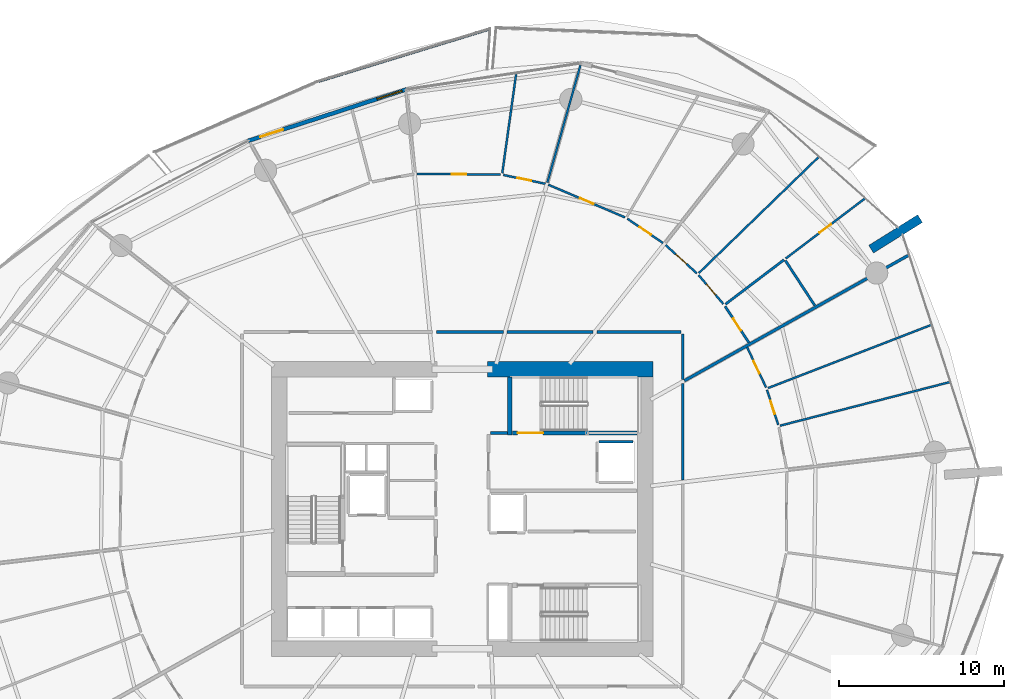
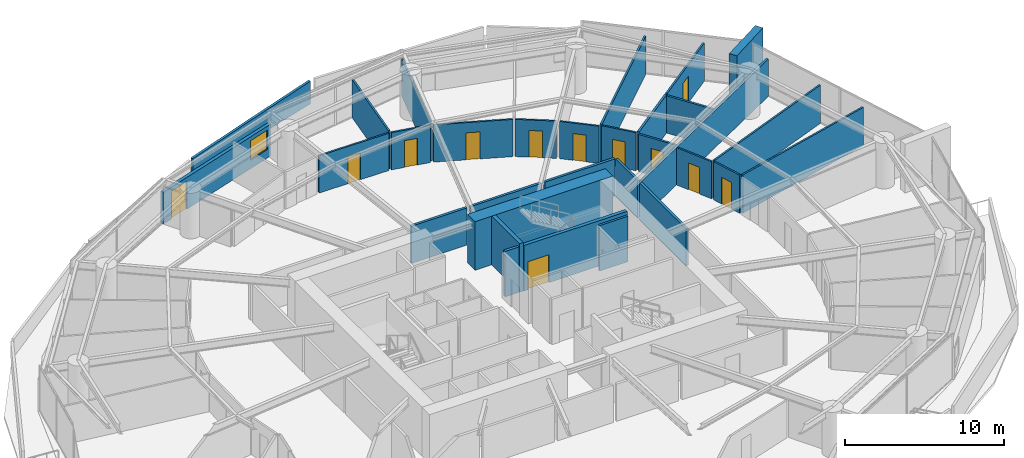
# One storey, part 23 of 31: 31 walls, 12 doors, 1 window, 13 openings.
"""IFC4 building model written with IfcOpenShell, lengths in metres."""

from ifc_helpers import new_model, si_unit, direction, frame, frame_2d, origin, place, context, subcontext, project, spatial, polyline, rectangle, outline, extrude, material, layer, layer_set, type_object, element, fill, save


model = new_model("IFC4")

# Units and contexts
model_context = context("Model", 3, precision=1e-05, world=origin(), true_north=direction((0.0, 1.0)))
body_context = subcontext(model_context, "Body", "Model", "MODEL_VIEW")
ifc_project = project(units=[si_unit("LENGTHUNIT", "METRE"), si_unit("AREAUNIT", "SQUARE_METRE"), si_unit("VOLUMEUNIT", "CUBIC_METRE"), si_unit("PLANEANGLEUNIT", "RADIAN"), si_unit("MASSUNIT", "GRAM", prefix="KILO")], contexts=[model_context])

# Site, building, storey
site_placement = place(None, origin())
site = spatial("IfcSite", under=ifc_project, at=site_placement, CompositionType="ELEMENT")
building_placement = place(site_placement, origin())
building = spatial("IfcBuilding", under=site, at=building_placement, Name="Kazma Halo Residences", CompositionType="ELEMENT")
storey_placement = place(building_placement, frame((0.0, 0.0, 37.64990234375)))
storey = spatial("IfcBuildingStorey", under=building, at=storey_placement, Name="L08", CompositionType="ELEMENT", Elevation=37.64990234375)

# Walls
ifc_material_1 = material(Name="White Concrete C50/60 Balustrade", Category="concrete")
ifc_layer_1 = layer(ifc_material_1, 0.179931640625)
ifc_layer_set_1 = layer_set([ifc_layer_1], Name="White Concrete C50/60 Balustrade")
wall_type_1 = type_object("IfcWallType", Name="WL-BAL-WAVE-180", PredefinedType="PARAPET", material=ifc_layer_set_1)
wall_1_placement = place(storey_placement, frame((50.1142578125, 71.139892578125, 0.0), z_axis=(0.0, 0.0, 1.0), x_axis=(-0.956262130287, -0.292511090695, 0.0)))
element("IfcWall", 1, at=wall_1_placement, inside=storey, type_object=wall_type_1, Name="L08 white wave balustrade wall NNW.1", PredefinedType="PARAPET", context=body_context, shape_type="SweptSolid", body=[
    extrude(outline(polyline([(0.0, 0.0), (10.89697265625, 0.0), (10.897216796875, 1.34814453125), (5.448486328125, 1.56201171875), (0.0, 1.7470703125), (0.0, 0.0)])), frame((0.0, 0.08984375, 0.0), z_axis=(0.0, -1.0, 0.0), x_axis=(1.0, 0.0, 0.0)), (0.0, 0.0, 1.0), 0.179931640625),
])
ifc_material_2 = material(Name="Pale Concrete C60/75", Category="concrete")
ifc_layer_2 = layer(ifc_material_2, 0.550048828125)
ifc_layer_set_2 = layer_set([ifc_layer_2], Name="Pale Concrete C60/75")
wall_type_2 = type_object("IfcWallType", Name="WL-BLADE-550", PredefinedType="SOLIDWALL", material=ifc_layer_set_2)
wall_2_placement = place(storey_placement, frame((73.229736328125, 57.765380859375, 0.0), z_axis=(0.0, 0.0, 1.0), x_axis=(0.848053161125, 0.529911158502, 0.0)))
element("IfcWall", 2, at=wall_2_placement, inside=storey, type_object=wall_type_2, Name="L08 pale concrete structural blade fin wall BW-01", PredefinedType="SOLIDWALL", context=body_context, shape_type="SweptSolid", body=[
    extrude(rectangle(XDim=3.5, YDim=0.550048828125, at=frame_2d((1.75, 0.0))), origin(), (0.0, 0.0, 1.0), 3.75),
])
ifc_material_3 = material(Name="Concrete C80/95", Category="concrete")
ifc_layer_3 = layer(ifc_material_3, 0.949951171875)
ifc_layer_set_3 = layer_set([ifc_layer_3], Name="Concrete C80/95")
wall_type_3 = type_object("IfcWallType", Name="WL-CORE-950", PredefinedType="SHEAR", material=ifc_layer_set_3)
wall_3_placement = place(storey_placement, frame((49.949951171875, 50.47509765625, 0.0), z_axis=(0.0, 0.0, 1.0), x_axis=(1.0, 0.0, 0.0)))
element("IfcWall", 3, at=wall_3_placement, inside=storey, type_object=wall_type_3, Name="L08 central core shear wall NE", PredefinedType="SHEAR", context=body_context, shape_type="SweptSolid", body=[
    extrude(rectangle(XDim=10.050048828125, YDim=0.949951171875, at=frame_2d((5.02490234375, 0.0))), origin(), (0.0, 0.0, 1.0), 3.75),
])
ifc_material_4 = material(Name="Concrete C60/75", Category="concrete")
ifc_layer_4 = layer(ifc_material_4, 0.280029296875)
ifc_layer_set_4 = layer_set([ifc_layer_4], Name="Concrete C60/75")
wall_type_4 = type_object("IfcWallType", Name="WL-CORE-ST-280", PredefinedType="SHEAR", material=ifc_layer_set_4)
wall_4_placement = place(storey_placement, frame((51.31005859375, 46.5, 0.0), z_axis=(0.0, 0.0, 1.0), x_axis=(0.0, 1.0, 0.0)))
element("IfcWall", 4, at=wall_4_placement, inside=storey, type_object=wall_type_4, Name="L08 stairwell bearing wall ST02-W", PredefinedType="SHEAR", context=body_context, shape_type="SweptSolid", body=[
    extrude(rectangle(XDim=3.5, YDim=0.280029296875, at=frame_2d((1.75, 0.0))), origin(), (0.0, 0.0, 1.0), 3.75),
])
ifc_material_5 = material(Name="Acoustic Twin-Stud Gypsum")
ifc_layer_5 = layer(ifc_material_5, 0.179931640625)
ifc_layer_set_5 = layer_set([ifc_layer_5], Name="Acoustic Twin-Stud Gypsum")
wall_type_5 = type_object("IfcWallType", Name="WL-DEM-180", PredefinedType="PARTITIONING", material=ifc_layer_set_5)
wall_5_placement = place(storey_placement, frame((61.89599609375, 49.781982421875, 0.0), z_axis=(0.0, 0.0, 1.0), x_axis=(0.872493215695, 0.488626225828, 0.0)))
element("IfcWall", 5, at=wall_5_placement, inside=storey, type_object=wall_type_5, Name="L08 apartment demising radial wall 00", PredefinedType="PARTITIONING", context=body_context, shape_type="SweptSolid", body=[
    extrude(rectangle(XDim=15.612060546875, YDim=0.179931640625, at=frame_2d((7.80615234375, 0.0))), origin(), (0.0, 0.0, 1.0), 2.8671875),
])
wall_6_placement = place(storey_placement, frame((61.800048828125, 49.848388671875, 0.0), z_axis=(0.0, 0.0, 1.0), x_axis=(0.0, 1.0, 0.0)))
element("IfcWall", 6, at=wall_6_placement, inside=storey, type_object=wall_type_5, Name="L08 Apartment 1 inner wall 0", PredefinedType="PARTITIONING", context=body_context, shape_type="SweptSolid", body=[
    extrude(rectangle(XDim=2.781494140625, YDim=0.179931640625, at=frame_2d((1.390625, 0.0))), origin(), (0.0, 0.0, 1.0), 2.8671875),
])
wall_7_placement = place(storey_placement, frame((61.679931640625, 52.75, 0.0), z_axis=(0.0, 0.0, 1.0), x_axis=(-1.0, 0.0, 0.0)))
element("IfcWall", 7, at=wall_7_placement, inside=storey, type_object=wall_type_5, Name="L08 Apartment 1 inner wall 0", PredefinedType="PARTITIONING", context=body_context, shape_type="SweptSolid", body=[
    extrude(rectangle(XDim=5.08544921875, YDim=0.179931640625, at=frame_2d((2.542724609375, 0.0))), origin(), (0.0, 0.0, 1.0), 2.8671875),
])
wall_8_placement = place(storey_placement, frame((56.3544921875, 52.75, 0.0), z_axis=(0.0, 0.0, 1.0), x_axis=(-1.0, 0.0, 0.0)))
element("IfcWall", 8, at=wall_8_placement, inside=storey, type_object=wall_type_5, Name="L08 Apartment 1 inner wall 1", PredefinedType="PARTITIONING", context=body_context, shape_type="SweptSolid", body=[
    extrude(rectangle(XDim=5.20263671875, YDim=0.179931640625, at=frame_2d((2.601318359375, 0.0))), origin(), (0.0, 0.0, 1.0), 2.8671875),
])
wall_9_placement = place(storey_placement, frame((50.911865234375, 52.75, 0.0), z_axis=(0.0, 0.0, 1.0), x_axis=(-1.0, 0.0, 0.0)))
element("IfcWall", 9, at=wall_9_placement, inside=storey, type_object=wall_type_5, Name="L08 Apartment 1 inner wall 2", PredefinedType="PARTITIONING", context=body_context, shape_type="SweptSolid", body=[
    extrude(rectangle(XDim=4.064208984375, YDim=0.179931640625, at=frame_2d((2.0322265625, 0.0))), origin(), (0.0, 0.0, 1.0), 2.8671875),
])
wall_10_placement = place(storey_placement, frame((61.800048828125, 43.75341796875, 0.0), z_axis=(0.0, 0.0, 1.0), x_axis=(0.0, 1.0, 0.0)))
element("IfcWall", 10, at=wall_10_placement, inside=storey, type_object=wall_type_5, Name="L08 Apartment 2 inner wall 15", PredefinedType="PARTITIONING", context=body_context, shape_type="SweptSolid", body=[
    extrude(rectangle(XDim=5.85498046875, YDim=0.179931640625, at=frame_2d((2.927490234375, 0.0))), origin(), (0.0, 0.0, 1.0), 2.8671875),
])

# Wall, openings, door, window
ifc_material_6 = material(Name="Insulated Pale-Metal Composite Wall")
ifc_layer_6 = layer(ifc_material_6, 0.239990234375)
ifc_layer_set_6 = layer_set([ifc_layer_6], Name="Insulated Pale-Metal Composite Wall")
wall_type_6 = type_object("IfcWallType", Name="WL-EXT-HOST-240", PredefinedType="SOLIDWALL", material=ifc_layer_set_6)
wall_11_placement = place(storey_placement, frame((45.0361328125, 67.45849609375, 0.0), z_axis=(0.0, 0.0, 1.0), x_axis=(-0.951054679225, -0.309022648238, 0.0)))
wall_11 = element("IfcWall", 11, at=wall_11_placement, inside=storey, type_object=wall_type_6, Name="L08 exterior terrace-access wall B04", PredefinedType="SOLIDWALL", context=body_context, shape_type="SweptSolid", body=[
    extrude(rectangle(XDim=10.0966796875, YDim=0.239990234375, at=frame_2d((5.04833984375, 0.0))), origin(), (0.0, 0.0, 1.0), 2.4501953125),
])
opening_1_placement = place(wall_11_placement, frame((7.876708984375, 0.0, 0.0)))
opening_1 = element("IfcOpeningElement", 12, at=opening_1_placement, cuts=wall_11, Name="Opening DTR-1600", PredefinedType="OPENING", context=body_context, shape_type="SweptSolid", body=[
    extrude(rectangle(XDim=1.449951171875, YDim=2.14990234375, at=frame_2d((0.72509765625, 1.074951171875))), frame((0.0, 0.1298828125, 0.0), z_axis=(0.0, -1.0, 0.0), x_axis=(1.0, 0.0, 0.0)), (0.0, 0.0, 1.0), 0.260009765625),
])
opening_2_placement = place(wall_11_placement, frame((0.280029296875, 0.0, 0.64990234375)))
opening_2 = element("IfcOpeningElement", 13, at=opening_2_placement, cuts=wall_11, Name="Opening W-1800", PredefinedType="OPENING", context=body_context, shape_type="SweptSolid", body=[
    extrude(rectangle(XDim=1.60009765625, YDim=1.5, at=frame_2d((0.800048828125, 0.75))), frame((0.0, 0.1298828125, 0.0), z_axis=(0.0, -1.0, 0.0), x_axis=(1.0, 0.0, 0.0)), (0.0, 0.0, 1.0), 0.260009765625),
])
ifc_material_7 = material(Name="Aluminium AW-6063 T6 Double-Glazed Terrace Door", Category="aluminium")
door_type_1 = type_object("IfcDoorType", Name="DR-EXT-TERR-1600", OperationType="NOTDEFINED", PredefinedType="DOOR", material=ifc_material_7)
door_1_placement = place(opening_1_placement, origin())
door_1 = element("IfcDoor", 14, at=door_1_placement, inside=storey, type_object=door_type_1, Name="L08 B04 balcony terrace door", OperationType="DOUBLE_DOOR_SLIDING", OverallHeight=2.14990234375, OverallWidth=1.449951171875, PredefinedType="DOOR", context=body_context, shape_type="SweptSolid", body=[
    extrude(rectangle(XDim=1.449951171875, YDim=2.14990234375, at=frame_2d((0.72509765625, 1.074951171875))), frame((0.0, 0.02490234375, 0.0), z_axis=(0.0, -1.0, 0.0), x_axis=(1.0, 0.0, 0.0)), (0.0, 0.0, 1.0), 0.050048828125),
])
fill(opening_1, door_1)
ifc_material_8 = material(Name="Clear Triple-Silver Low-E Glass in Aluminium AW-6063 T6 Frame", Category="aluminium")
window_type = type_object("IfcWindowType", Name="WIN-RES-1800", PartitioningType="DOUBLE_PANEL_VERTICAL", PredefinedType="WINDOW", material=ifc_material_8)
window_placement = place(opening_2_placement, origin())
window = element("IfcWindow", 15, at=window_placement, inside=storey, type_object=window_type, Name="L08 B04 apartment window", OverallHeight=1.5, OverallWidth=1.60009765625, PartitioningType="SINGLE_PANEL", PredefinedType="WINDOW", context=body_context, shape_type="SweptSolid", body=[
    extrude(rectangle(XDim=1.60009765625, YDim=1.5, at=frame_2d((0.800048828125, 0.75))), frame((0.0, 0.030029296875, 0.0), z_axis=(0.0, -1.0, 0.0), x_axis=(1.0, 0.0, 0.0)), (0.0, 0.0, 1.0), 0.06005859375),
])
fill(opening_2, window)

# Walls
ifc_material_9 = material(Name="Fire-Rated Blockwork Masonry", Category="masonry")
ifc_layer_7 = layer(ifc_material_9, 0.199951171875)
ifc_layer_set_7 = layer_set([ifc_layer_7], Name="Fire-Rated Blockwork Masonry")
wall_type_7 = type_object("IfcWallType", Name="WL-FLB-200", PredefinedType="PARTITIONING", material=ifc_layer_set_7)
wall_12_placement = place(storey_placement, frame((56.719970703125, 46.080078125, 0.0), z_axis=(0.0, 0.0, 1.0), x_axis=(1.0, 0.0, 0.0)))
element("IfcWall", 16, at=wall_12_placement, inside=storey, type_object=wall_type_7, Name="L08 lift shaft FL-02 side wall N", PredefinedType="PARTITIONING", context=body_context, shape_type="SweptSolid", body=[
    extrude(rectangle(XDim=2.06005859375, YDim=0.159912109375, at=frame_2d((1.030029296875, 0.0))), origin(), (0.0, 0.0, 1.0), 3.5),
])
wall_13_placement = place(storey_placement, frame((50.139892578125, 46.6201171875, 0.0), z_axis=(0.0, 0.0, 1.0), x_axis=(1.0, 0.0, 0.0)))
element("IfcWall", 17, at=wall_13_placement, inside=storey, type_object=wall_type_7, Name="L08 east firefighting lobby north closure wall", PredefinedType="PARTITIONING", context=body_context, shape_type="SweptSolid", body=[
    extrude(rectangle(XDim=1.02001953125, YDim=0.199951171875, at=frame_2d((0.510009765625, 0.0))), origin(), (0.0, 0.0, 1.0), 3.5),
])

# Wall, opening, door
ifc_material_10 = material(Name="Gypsum Plasterboard Partition")
ifc_layer_8 = layer(ifc_material_10, 0.125)
ifc_layer_set_8 = layer_set([ifc_layer_8], Name="Gypsum Plasterboard Partition")
wall_type_8 = type_object("IfcWallType", Name="WL-PART-125", PredefinedType="PARTITIONING", material=ifc_layer_set_8)
wall_14_placement = place(storey_placement, frame((68.051025390625, 57.203125, 0.0), z_axis=(0.0, 0.0, 1.0), x_axis=(0.796847589026, 0.604180370307, 0.0)))
wall_14 = element("IfcWall", 18, at=wall_14_placement, inside=storey, type_object=wall_type_8, Name="L08 Apartment 1 Household Store Room partition wall", PredefinedType="PARTITIONING", context=body_context, shape_type="SweptSolid", body=[
    extrude(rectangle(XDim=6.01513671875, YDim=0.125, at=frame_2d((3.007568359375, 0.0))), origin(), (0.0, 0.0, 1.0), 2.940185546875),
])
opening_3_placement = place(wall_14_placement, frame((2.58251953125, 0.0, 0.0)))
opening_3 = element("IfcOpeningElement", 19, at=opening_3_placement, cuts=wall_14, Name="Opening DB-900", PredefinedType="OPENING", context=body_context, shape_type="SweptSolid", body=[
    extrude(rectangle(XDim=0.85009765625, YDim=2.06005859375, at=frame_2d((0.425048828125, 1.030029296875))), frame((0.0, 0.072509765625, 0.0), z_axis=(0.0, -1.0, 0.0), x_axis=(1.0, 0.0, 0.0)), (0.0, 0.0, 1.0), 0.14501953125),
])
ifc_material_11 = material(Name="Moisture-Sealed Timber Leaf", Category="wood")
door_type_2 = type_object("IfcDoorType", Name="DR-BTH-900", OperationType="NOTDEFINED", PredefinedType="DOOR", material=ifc_material_11)
door_2_placement = place(opening_3_placement, origin())
door_2 = element("IfcDoor", 20, at=door_2_placement, inside=storey, type_object=door_type_2, Name="L08 Apartment 1 Household Store Room door", OperationType="SINGLE_SWING_RIGHT", OverallHeight=2.06005859375, OverallWidth=0.85009765625, PredefinedType="DOOR", context=body_context, shape_type="SweptSolid", body=[
    extrude(rectangle(XDim=0.85009765625, YDim=2.06005859375, at=frame_2d((0.425048828125, 1.030029296875))), frame((0.0, 0.02490234375, 0.0), z_axis=(0.0, -1.0, 0.0), x_axis=(1.0, 0.0, 0.0)), (0.0, 0.0, 1.0), 0.050048828125),
])
fill(opening_3, door_2)

# Wall
wall_15_placement = place(storey_placement, frame((62.775146484375, 56.31591796875, 0.0), z_axis=(0.0, 0.0, 1.0), x_axis=(0.718182919159, 0.695854363088, 0.0)))
element("IfcWall", 21, at=wall_15_placement, inside=storey, type_object=wall_type_8, Name="L08 Apartment 1 suite divider 0", PredefinedType="PARTITIONING", context=body_context, shape_type="SweptSolid", body=[
    extrude(rectangle(XDim=10.114013671875, YDim=0.125, at=frame_2d((5.05712890625, 0.0))), origin(), (0.0, 0.0, 1.0), 2.940185546875),
])

# Wall, opening, door
wall_16_placement = place(storey_placement, frame((64.26318359375, 54.44384765625, 0.0), z_axis=(0.0, 0.0, 1.0), x_axis=(-0.651227570151, 0.758882502022, 0.0)))
wall_16 = element("IfcWall", 22, at=wall_16_placement, inside=storey, type_object=wall_type_8, Name="L08 Apartment 1 Gourmet Kitchen hall wall", PredefinedType="PARTITIONING", context=body_context, shape_type="SweptSolid", body=[
    extrude(rectangle(XDim=2.30419921875, YDim=0.125, at=frame_2d((1.152099609375, 0.0))), origin(), (0.0, 0.0, 1.0), 2.940185546875),
])
opening_4_placement = place(wall_16_placement, frame((0.72705078125, 0.0, 0.0)))
opening_4 = element("IfcOpeningElement", 23, at=opening_4_placement, cuts=wall_16, Name="Opening DB-900", PredefinedType="OPENING", context=body_context, shape_type="SweptSolid", body=[
    extrude(rectangle(XDim=0.85009765625, YDim=2.06005859375, at=frame_2d((0.425048828125, 1.030029296875))), frame((0.0, 0.072509765625, 0.0), z_axis=(0.0, -1.0, 0.0), x_axis=(1.0, 0.0, 0.0)), (0.0, 0.0, 1.0), 0.14501953125),
])
door_3_placement = place(opening_4_placement, origin())
door_3 = element("IfcDoor", 24, at=door_3_placement, inside=storey, type_object=door_type_2, Name="L08 Apartment 1 Gourmet Kitchen door", OperationType="SINGLE_SWING_LEFT", OverallHeight=2.06005859375, OverallWidth=0.85009765625, PredefinedType="DOOR", context=body_context, shape_type="SweptSolid", body=[
    extrude(rectangle(XDim=0.85009765625, YDim=2.06005859375, at=frame_2d((0.425048828125, 1.030029296875))), frame((0.0, 0.02490234375, 0.0), z_axis=(0.0, -1.0, 0.0), x_axis=(1.0, 0.0, 0.0)), (0.0, 0.0, 1.0), 0.050048828125),
])
fill(opening_4, door_3)

wall_17_placement = place(storey_placement, frame((62.651123046875, 56.306884765625, 0.0), z_axis=(0.0, 0.0, 1.0), x_axis=(-0.742266720662, 0.670104555571, 0.0)))
wall_17 = element("IfcWall", 25, at=wall_17_placement, inside=storey, type_object=wall_type_8, Name="L08 Apartment 1 Primary Bedroom hall wall", PredefinedType="PARTITIONING", context=body_context, shape_type="SweptSolid", body=[
    extrude(rectangle(XDim=2.554443359375, YDim=0.125, at=frame_2d((1.27734375, 0.0))), origin(), (0.0, 0.0, 1.0), 2.8671875),
])
opening_5_placement = place(wall_17_placement, frame((0.852294921875, 0.0, 0.0)))
opening_5 = element("IfcOpeningElement", 26, at=opening_5_placement, cuts=wall_17, Name="Opening DB-900", PredefinedType="OPENING", context=body_context, shape_type="SweptSolid", body=[
    extrude(rectangle(XDim=0.85009765625, YDim=2.06005859375, at=frame_2d((0.425048828125, 1.030029296875))), frame((0.0, 0.072509765625, 0.0), z_axis=(0.0, -1.0, 0.0), x_axis=(1.0, 0.0, 0.0)), (0.0, 0.0, 1.0), 0.14501953125),
])
door_4_placement = place(opening_5_placement, origin())
door_4 = element("IfcDoor", 27, at=door_4_placement, inside=storey, type_object=door_type_2, Name="L08 Apartment 1 Primary Bedroom door", OperationType="SINGLE_SWING_RIGHT", OverallHeight=2.06005859375, OverallWidth=0.85009765625, PredefinedType="DOOR", context=body_context, shape_type="SweptSolid", body=[
    extrude(rectangle(XDim=0.85009765625, YDim=2.06005859375, at=frame_2d((0.425048828125, 1.030029296875))), frame((0.0, 0.02490234375, 0.0), z_axis=(0.0, -1.0, 0.0), x_axis=(1.0, 0.0, 0.0)), (0.0, 0.0, 1.0), 0.050048828125),
])
fill(opening_5, door_4)

wall_18_placement = place(storey_placement, frame((60.598388671875, 58.14208984375, 0.0), z_axis=(0.0, 0.0, 1.0), x_axis=(-0.82573951311, 0.56405164346, 0.0)))
wall_18 = element("IfcWall", 28, at=wall_18_placement, inside=storey, type_object=wall_type_8, Name="L08 Apartment 1 East Wine Pantry Store hall wall", PredefinedType="PARTITIONING", context=body_context, shape_type="SweptSolid", body=[
    extrude(rectangle(XDim=2.616943359375, YDim=0.125, at=frame_2d((1.30859375, 0.0))), origin(), (0.0, 0.0, 1.0), 2.8671875),
])
opening_6_placement = place(wall_18_placement, frame((0.883544921875, 0.0, 0.0)))
opening_6 = element("IfcOpeningElement", 29, at=opening_6_placement, cuts=wall_18, Name="Opening DB-900", PredefinedType="OPENING", context=body_context, shape_type="SweptSolid", body=[
    extrude(rectangle(XDim=0.85009765625, YDim=2.06005859375, at=frame_2d((0.425048828125, 1.030029296875))), frame((0.0, 0.072509765625, 0.0), z_axis=(0.0, -1.0, 0.0), x_axis=(1.0, 0.0, 0.0)), (0.0, 0.0, 1.0), 0.14501953125),
])
door_5_placement = place(opening_6_placement, origin())
door_5 = element("IfcDoor", 30, at=door_5_placement, inside=storey, type_object=door_type_2, Name="L08 Apartment 1 East Wine Pantry Store door", OperationType="SINGLE_SWING_RIGHT", OverallHeight=2.06005859375, OverallWidth=0.85009765625, PredefinedType="DOOR", context=body_context, shape_type="SweptSolid", body=[
    extrude(rectangle(XDim=0.85009765625, YDim=2.06005859375, at=frame_2d((0.425048828125, 1.030029296875))), frame((0.0, 0.02490234375, 0.0), z_axis=(0.0, -1.0, 0.0), x_axis=(1.0, 0.0, 0.0)), (0.0, 0.0, 1.0), 0.050048828125),
])
fill(opening_6, door_5)

wall_19_placement = place(storey_placement, frame((58.297607421875, 59.694580078125, 0.0), z_axis=(0.0, 0.0, 1.0), x_axis=(-0.919918404985, 0.392109841969, 0.0)))
wall_19 = element("IfcWall", 31, at=wall_19_placement, inside=storey, type_object=wall_type_8, Name="L08 Apartment 1 West Formal Dining Room hall wall", PredefinedType="PARTITIONING", context=body_context, shape_type="SweptSolid", body=[
    extrude(rectangle(XDim=5.05029296875, YDim=0.125, at=frame_2d((2.525146484375, 0.0))), origin(), (0.0, 0.0, 1.0), 2.8671875),
])
opening_7_placement = place(wall_19_placement, frame((2.0751953125, 0.0, 0.0)))
opening_7 = element("IfcOpeningElement", 32, at=opening_7_placement, cuts=wall_19, Name="Opening DI-950", PredefinedType="OPENING", context=body_context, shape_type="SweptSolid", body=[
    extrude(rectangle(XDim=0.89990234375, YDim=2.080078125, at=frame_2d((0.449951171875, 1.0400390625))), frame((0.0, 0.072509765625, 0.0), z_axis=(0.0, -1.0, 0.0), x_axis=(1.0, 0.0, 0.0)), (0.0, 0.0, 1.0), 0.14501953125),
])
ifc_material_12 = material(Name="Timber Veneer Flush Leaf", Category="wood")
door_type_3 = type_object("IfcDoorType", Name="DR-INT-950", OperationType="NOTDEFINED", PredefinedType="DOOR", material=ifc_material_12)
door_6_placement = place(opening_7_placement, origin())
door_6 = element("IfcDoor", 33, at=door_6_placement, inside=storey, type_object=door_type_3, Name="L08 Apartment 1 West Formal Dining Room door", OperationType="SINGLE_SWING_LEFT", OverallHeight=2.080078125, OverallWidth=0.89990234375, PredefinedType="DOOR", context=body_context, shape_type="SweptSolid", body=[
    extrude(rectangle(XDim=0.89990234375, YDim=2.080078125, at=frame_2d((0.449951171875, 1.0400390625))), frame((0.0, 0.02490234375, 0.0), z_axis=(0.0, -1.0, 0.0), x_axis=(1.0, 0.0, 0.0)), (0.0, 0.0, 1.0), 0.050048828125),
])
fill(opening_7, door_6)

# Walls
wall_20_placement = place(storey_placement, frame((53.5869140625, 61.810302734375, 0.0), z_axis=(0.0, 0.0, 1.0), x_axis=(0.271464088879, 0.962448569249, 0.0)))
element("IfcWall", 34, at=wall_20_placement, inside=storey, type_object=wall_type_8, Name="L08 Apartment 1 radial partition 2", PredefinedType="PARTITIONING", context=body_context, shape_type="SweptSolid", body=[
    extrude(rectangle(XDim=7.38916015625, YDim=0.125, at=frame_2d((3.694580078125, 0.0))), origin(), (0.0, 0.0, 1.0), 2.8671875),
])
wall_21_placement = place(storey_placement, frame((50.850830078125, 62.37451171875, 0.0), z_axis=(0.0, 0.0, 1.0), x_axis=(0.138574188501, 0.990352055726, 0.0)))
element("IfcWall", 35, at=wall_21_placement, inside=storey, type_object=wall_type_8, Name="L08 Apartment 1 mid-bay wall 2", PredefinedType="PARTITIONING", context=body_context, shape_type="SweptSolid", body=[
    extrude(rectangle(XDim=6.11181640625, YDim=0.125, at=frame_2d((3.055908203125, 0.0))), origin(), (0.0, 0.0, 1.0), 2.940185546875),
])

# Wall, opening, door
wall_22_placement = place(storey_placement, frame((53.4619140625, 61.734619140625, 0.0), z_axis=(0.0, 0.0, 1.0), x_axis=(-0.978662180334, 0.205475878837, 0.0)))
wall_22 = element("IfcWall", 36, at=wall_22_placement, inside=storey, type_object=wall_type_8, Name="L08 Apartment 1 North Dressing Wardrobe hall wall", PredefinedType="PARTITIONING", context=body_context, shape_type="SweptSolid", body=[
    extrude(rectangle(XDim=2.600830078125, YDim=0.125, at=frame_2d((1.30029296875, 0.0))), origin(), (0.0, 0.0, 1.0), 2.8671875),
])
opening_8_placement = place(wall_22_placement, frame((0.87548828125, 0.0, 0.0)))
opening_8 = element("IfcOpeningElement", 37, at=opening_8_placement, cuts=wall_22, Name="Opening DB-900", PredefinedType="OPENING", context=body_context, shape_type="SweptSolid", body=[
    extrude(rectangle(XDim=0.85009765625, YDim=2.06005859375, at=frame_2d((0.425048828125, 1.030029296875))), frame((0.0, 0.072509765625, 0.0), z_axis=(0.0, -1.0, 0.0), x_axis=(1.0, 0.0, 0.0)), (0.0, 0.0, 1.0), 0.14501953125),
])
door_7_placement = place(opening_8_placement, origin())
door_7 = element("IfcDoor", 38, at=door_7_placement, inside=storey, type_object=door_type_2, Name="L08 Apartment 1 North Dressing Wardrobe door", OperationType="SINGLE_SWING_LEFT", OverallHeight=2.06005859375, OverallWidth=0.85009765625, PredefinedType="DOOR", context=body_context, shape_type="SweptSolid", body=[
    extrude(rectangle(XDim=0.85009765625, YDim=2.06005859375, at=frame_2d((0.425048828125, 1.030029296875))), frame((0.0, 0.02490234375, 0.0), z_axis=(0.0, -1.0, 0.0), x_axis=(1.0, 0.0, 0.0)), (0.0, 0.0, 1.0), 0.050048828125),
])
fill(opening_8, door_7)

wall_23_placement = place(storey_placement, frame((50.75830078125, 62.2861328125, 0.0), z_axis=(0.0, 0.0, 1.0), x_axis=(-0.999943799193, 0.010601813775, 0.0)))
wall_23 = element("IfcWall", 39, at=wall_23_placement, inside=storey, type_object=wall_type_8, Name="L08 Apartment 1 South Master Bedroom hall wall", PredefinedType="PARTITIONING", context=body_context, shape_type="SweptSolid", body=[
    extrude(rectangle(XDim=5.066162109375, YDim=0.125, at=frame_2d((2.533203125, 0.0))), origin(), (0.0, 0.0, 1.0), 2.8671875),
])
opening_9_placement = place(wall_23_placement, frame((2.0830078125, 0.0, 0.0)))
opening_9 = element("IfcOpeningElement", 40, at=opening_9_placement, cuts=wall_23, Name="Opening DI-950", PredefinedType="OPENING", context=body_context, shape_type="SweptSolid", body=[
    extrude(rectangle(XDim=0.89990234375, YDim=2.080078125, at=frame_2d((0.449951171875, 1.0400390625))), frame((0.0, 0.072509765625, 0.0), z_axis=(0.0, -1.0, 0.0), x_axis=(1.0, 0.0, 0.0)), (0.0, 0.0, 1.0), 0.14501953125),
])
door_8_placement = place(opening_9_placement, origin())
door_8 = element("IfcDoor", 41, at=door_8_placement, inside=storey, type_object=door_type_3, Name="L08 Apartment 1 South Master Bedroom door", OperationType="SINGLE_SWING_RIGHT", OverallHeight=2.080078125, OverallWidth=0.89990234375, PredefinedType="DOOR", context=body_context, shape_type="SweptSolid", body=[
    extrude(rectangle(XDim=0.89990234375, YDim=2.080078125, at=frame_2d((0.449951171875, 1.0400390625))), frame((0.0, 0.02490234375, 0.0), z_axis=(0.0, -1.0, 0.0), x_axis=(1.0, 0.0, 0.0)), (0.0, 0.0, 1.0), 0.050048828125),
])
fill(opening_9, door_8)

# Walls
wall_24_placement = place(storey_placement, frame((67.703857421875, 47.05908203125, 0.0), z_axis=(0.0, 0.0, 1.0), x_axis=(0.968581650893, 0.248695769071, 0.0)))
element("IfcWall", 42, at=wall_24_placement, inside=storey, type_object=wall_type_8, Name="L08 Apartment 2 bay wall 1 15", PredefinedType="PARTITIONING", context=body_context, shape_type="SweptSolid", body=[
    extrude(rectangle(XDim=10.650390625, YDim=0.125, at=frame_2d((5.3251953125, 0.0))), origin(), (0.0, 0.0, 1.0), 2.940185546875),
])
wall_25_placement = place(storey_placement, frame((66.97265625, 49.340087890625, 0.0), z_axis=(0.0, 0.0, 1.0), x_axis=(0.93264336061, 0.360799614621, 0.0)))
element("IfcWall", 43, at=wall_25_placement, inside=storey, type_object=wall_type_8, Name="L08 Apartment 2 bay wall 2 15", PredefinedType="PARTITIONING", context=body_context, shape_type="SweptSolid", body=[
    extrude(rectangle(XDim=10.6357421875, YDim=0.125, at=frame_2d((5.31787109375, 0.0))), origin(), (0.0, 0.0, 1.0), 2.940185546875),
])

# Wall, opening, door
wall_26_placement = place(storey_placement, frame((67.59228515625, 47.11279296875, 0.0), z_axis=(0.0, 0.0, 1.0), x_axis=(-0.305309270218, 0.952253248626, 0.0)))
wall_26 = element("IfcWall", 44, at=wall_26_placement, inside=storey, type_object=wall_type_8, Name="L08 Apartment 2 East Dressing Wardrobe hall wall", PredefinedType="PARTITIONING", context=body_context, shape_type="SweptSolid", body=[
    extrude(rectangle(XDim=2.224609375, YDim=0.125, at=frame_2d((1.1123046875, 0.0))), origin(), (0.0, 0.0, 1.0), 2.940185546875),
])
opening_10_placement = place(wall_26_placement, frame((0.687255859375, 0.0, 0.0)))
opening_10 = element("IfcOpeningElement", 45, at=opening_10_placement, cuts=wall_26, Name="Opening DB-900", PredefinedType="OPENING", context=body_context, shape_type="SweptSolid", body=[
    extrude(rectangle(XDim=0.85009765625, YDim=2.06005859375, at=frame_2d((0.425048828125, 1.030029296875))), frame((0.0, 0.072509765625, 0.0), z_axis=(0.0, -1.0, 0.0), x_axis=(1.0, 0.0, 0.0)), (0.0, 0.0, 1.0), 0.14501953125),
])
door_9_placement = place(opening_10_placement, origin())
door_9 = element("IfcDoor", 46, at=door_9_placement, inside=storey, type_object=door_type_2, Name="L08 Apartment 2 East Dressing Wardrobe door", OperationType="SINGLE_SWING_RIGHT", OverallHeight=2.06005859375, OverallWidth=0.85009765625, PredefinedType="DOOR", context=body_context, shape_type="SweptSolid", body=[
    extrude(rectangle(XDim=0.85009765625, YDim=2.06005859375, at=frame_2d((0.425048828125, 1.030029296875))), frame((0.0, 0.02490234375, 0.0), z_axis=(0.0, -1.0, 0.0), x_axis=(1.0, 0.0, 0.0)), (0.0, 0.0, 1.0), 0.050048828125),
])
fill(opening_10, door_9)

wall_27_placement = place(storey_placement, frame((66.8544921875, 49.3798828125, 0.0), z_axis=(0.0, 0.0, 1.0), x_axis=(-0.425714313245, 0.904857626093, 0.0)))
wall_27 = element("IfcWall", 47, at=wall_27_placement, inside=storey, type_object=wall_type_8, Name="L08 Apartment 2 West Master Bedroom hall wall", PredefinedType="PARTITIONING", context=body_context, shape_type="SweptSolid", body=[
    extrude(rectangle(XDim=2.700439453125, YDim=0.125, at=frame_2d((1.35009765625, 0.0))), origin(), (0.0, 0.0, 1.0), 2.8671875),
])
opening_11_placement = place(wall_27_placement, frame((0.92529296875, 0.0, 0.0)))
opening_11 = element("IfcOpeningElement", 48, at=opening_11_placement, cuts=wall_27, Name="Opening DB-900", PredefinedType="OPENING", context=body_context, shape_type="SweptSolid", body=[
    extrude(rectangle(XDim=0.85009765625, YDim=2.06005859375, at=frame_2d((0.425048828125, 1.030029296875))), frame((0.0, 0.072509765625, 0.0), z_axis=(0.0, -1.0, 0.0), x_axis=(1.0, 0.0, 0.0)), (0.0, 0.0, 1.0), 0.14501953125),
])
door_10_placement = place(opening_11_placement, origin())
door_10 = element("IfcDoor", 49, at=door_10_placement, inside=storey, type_object=door_type_2, Name="L08 Apartment 2 West Master Bedroom door", OperationType="SINGLE_SWING_LEFT", OverallHeight=2.06005859375, OverallWidth=0.85009765625, PredefinedType="DOOR", context=body_context, shape_type="SweptSolid", body=[
    extrude(rectangle(XDim=0.85009765625, YDim=2.06005859375, at=frame_2d((0.425048828125, 1.030029296875))), frame((0.0, 0.02490234375, 0.0), z_axis=(0.0, -1.0, 0.0), x_axis=(1.0, 0.0, 0.0)), (0.0, 0.0, 1.0), 0.050048828125),
])
fill(opening_11, door_10)

ifc_material_13 = material(Name="Concrete C50/60", Category="concrete")
ifc_layer_9 = layer(ifc_material_13, 0.25)
ifc_layer_set_9 = layer_set([ifc_layer_9], Name="Concrete C50/60")
wall_type_9 = type_object("IfcWallType", Name="WL-SHF-250", PredefinedType="SOLIDWALL", material=ifc_layer_set_9)
wall_28_placement = place(storey_placement, frame((51.47998046875, 46.6201171875, 0.0), z_axis=(0.0, 0.0, 1.0), x_axis=(1.0, 0.0, 0.0)))
wall_28 = element("IfcWall", 50, at=wall_28_placement, inside=storey, type_object=wall_type_9, Name="L08 exit stair ST-02 enclosure wall", PredefinedType="SOLIDWALL", context=body_context, shape_type="SweptSolid", body=[
    extrude(rectangle(XDim=7.5400390625, YDim=0.25, at=frame_2d((3.77001953125, 0.0))), origin(), (0.0, 0.0, 1.0), 3.5),
])
opening_12_placement = place(wall_28_placement, frame((0.300048828125, 0.0, 0.0)))
opening_12 = element("IfcOpeningElement", 51, at=opening_12_placement, cuts=wall_28, Name="Opening D-ST2", PredefinedType="OPENING", context=body_context, shape_type="SweptSolid", body=[
    extrude(rectangle(XDim=1.550048828125, YDim=2.14990234375, at=frame_2d((0.77490234375, 1.074951171875))), frame((0.0, 0.135009765625, 0.0), z_axis=(0.0, -1.0, 0.0), x_axis=(1.0, 0.0, 0.0)), (0.0, 0.0, 1.0), 0.27001953125),
])
ifc_material_14 = material(Name="Fire-Rated Double Steel Leaf", Category="steel")
door_type_4 = type_object("IfcDoorType", Name="DR-FD90-1550", OperationType="NOTDEFINED", PredefinedType="DOOR", material=ifc_material_14)
door_11_placement = place(opening_12_placement, origin())
door_11 = element("IfcDoor", 52, at=door_11_placement, inside=storey, type_object=door_type_4, Name="L08 exit stair ST-02 fire door", OperationType="DOUBLE_DOOR_SINGLE_SWING", OverallHeight=2.14990234375, OverallWidth=1.550048828125, PredefinedType="DOOR", context=body_context, shape_type="SweptSolid", body=[
    extrude(rectangle(XDim=1.550048828125, YDim=2.14990234375, at=frame_2d((0.77490234375, 1.074951171875))), frame((0.0, 0.02490234375, 0.0), z_axis=(0.0, -1.0, 0.0), x_axis=(1.0, 0.0, 0.0)), (0.0, 0.0, 1.0), 0.050048828125),
])
fill(opening_12, door_11)

ifc_material_15 = material(Name="Moisture-Resistant Gypsum")
ifc_layer_10 = layer(ifc_material_15, 0.14990234375)
ifc_layer_set_10 = layer_set([ifc_layer_10], Name="Moisture-Resistant Gypsum")
wall_type_10 = type_object("IfcWallType", Name="WL-WET-150", PredefinedType="PARTITIONING", material=ifc_layer_set_10)
wall_29_placement = place(storey_placement, frame((65.81640625, 52.092041015625, 0.0), z_axis=(0.0, 0.0, 1.0), x_axis=(-0.547635625156, 0.836716930664, 0.0)))
wall_29 = element("IfcWall", 53, at=wall_29_placement, inside=storey, type_object=wall_type_10, Name="L08 Apartment 1 Guest Bathroom hall wall", PredefinedType="PARTITIONING", context=body_context, shape_type="SweptSolid", body=[
    extrude(rectangle(XDim=2.63916015625, YDim=0.14990234375, at=frame_2d((1.319580078125, 0.0))), origin(), (0.0, 0.0, 1.0), 2.8671875),
])
opening_13_placement = place(wall_29_placement, frame((0.89453125, 0.0, 0.0)))
opening_13 = element("IfcOpeningElement", 54, at=opening_13_placement, cuts=wall_29, Name="Opening DB-900", PredefinedType="OPENING", context=body_context, shape_type="SweptSolid", body=[
    extrude(rectangle(XDim=0.85009765625, YDim=2.06005859375, at=frame_2d((0.425048828125, 1.030029296875))), frame((0.0, 0.0849609375, 0.0), z_axis=(0.0, -1.0, 0.0), x_axis=(1.0, 0.0, 0.0)), (0.0, 0.0, 1.0), 0.169921875),
])
door_12_placement = place(opening_13_placement, origin())
door_12 = element("IfcDoor", 55, at=door_12_placement, inside=storey, type_object=door_type_2, Name="L08 Apartment 1 Guest Bathroom door", OperationType="SINGLE_SWING_LEFT", OverallHeight=2.06005859375, OverallWidth=0.85009765625, PredefinedType="DOOR", context=body_context, shape_type="SweptSolid", body=[
    extrude(rectangle(XDim=0.85009765625, YDim=2.06005859375, at=frame_2d((0.425048828125, 1.030029296875))), frame((0.0, 0.02490234375, 0.0), z_axis=(0.0, -1.0, 0.0), x_axis=(1.0, 0.0, 0.0)), (0.0, 0.0, 1.0), 0.050048828125),
])
fill(opening_13, door_12)

# Walls
wall_30_placement = place(storey_placement, frame((69.8212890625, 54.3349609375, 0.0), z_axis=(0.0, 0.0, 1.0), x_axis=(-0.547709492592, 0.836668579382, 0.0)))
element("IfcWall", 56, at=wall_30_placement, inside=storey, type_object=wall_type_10, Name="L08 Apartment 1 Guest Bathroom back wall", PredefinedType="PARTITIONING", context=body_context, shape_type="SweptSolid", body=[
    extrude(rectangle(XDim=3.273193359375, YDim=0.14990234375, at=frame_2d((1.63671875, 0.0))), origin(), (0.0, 0.0, 1.0), 2.8671875),
])
wall_31_placement = place(storey_placement, frame((64.3935546875, 54.429931640625, 0.0), z_axis=(0.0, 0.0, 1.0), x_axis=(0.796855751732, 0.604169604442, 0.0)))
element("IfcWall", 57, at=wall_31_placement, inside=storey, type_object=wall_type_10, Name="L08 Apartment 1 Guest Bathroom side wall", PredefinedType="PARTITIONING", context=body_context, shape_type="SweptSolid", body=[
    extrude(rectangle(XDim=4.4599609375, YDim=0.14990234375, at=frame_2d((2.22998046875, 0.0))), origin(), (0.0, 0.0, 1.0), 2.940185546875),
])

save(model, "model.ifc")
